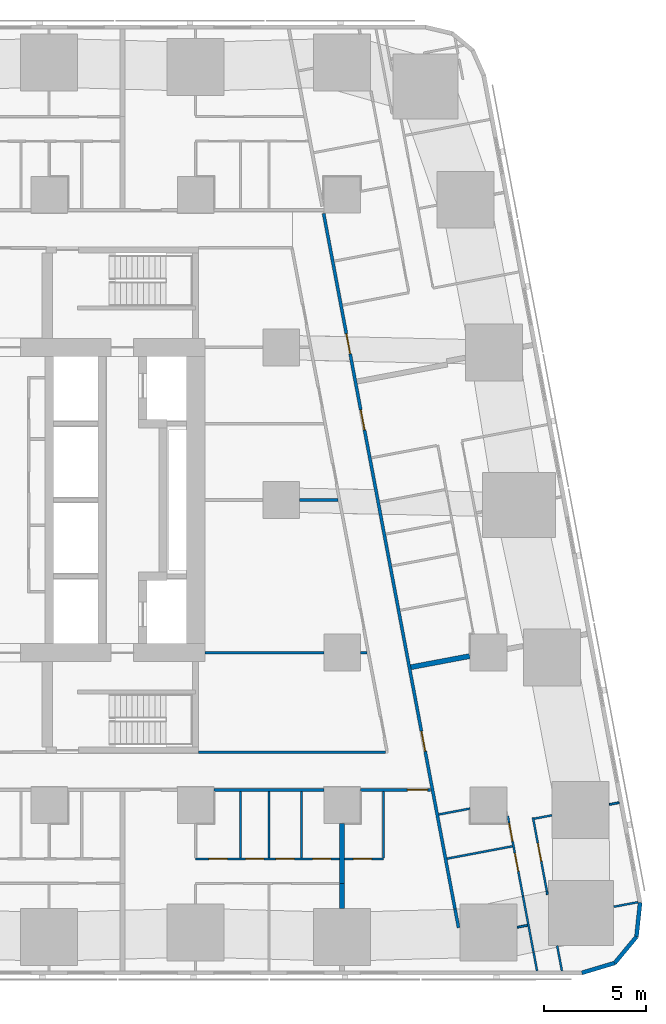
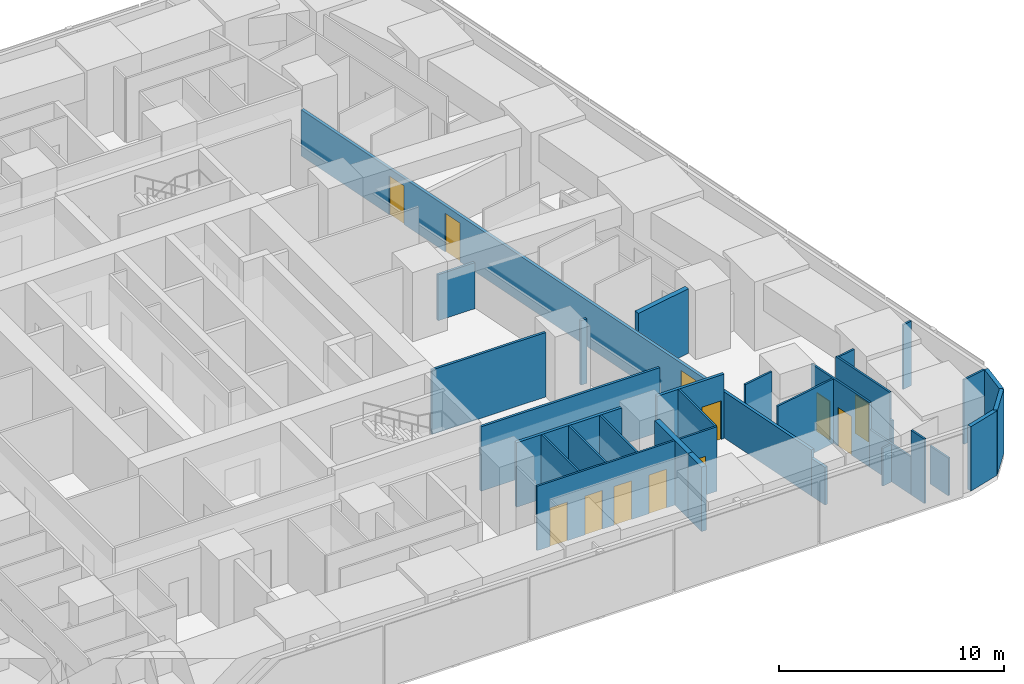
# One storey, part 9 of 18: 32 walls, 12 doors, 12 openings.
"""IFC4 building model written with IfcOpenShell, lengths in metres."""

from ifc_helpers import new_model, si_unit, direction, frame, frame_2d, origin, place, context, subcontext, project, spatial, rectangle, extrude, material, layer, layer_set, type_object, element, fill, save


model = new_model("IFC4")

# Units and contexts
model_context = context("Model", 3, precision=1e-05, world=origin(), true_north=direction((0.0, 1.0)))
body_context = subcontext(model_context, "Body", "Model", "MODEL_VIEW")
ifc_project = project(units=[si_unit("LENGTHUNIT", "METRE"), si_unit("AREAUNIT", "SQUARE_METRE"), si_unit("VOLUMEUNIT", "CUBIC_METRE"), si_unit("PLANEANGLEUNIT", "RADIAN"), si_unit("MASSUNIT", "GRAM", prefix="KILO")], contexts=[model_context])

# Site, building, storey
site_placement = place(None, origin())
site = spatial("IfcSite", under=ifc_project, at=site_placement, CompositionType="ELEMENT")
building_placement = place(site_placement, origin())
building = spatial("IfcBuilding", under=site, at=building_placement, Name="Sheger Commons Tower", CompositionType="ELEMENT")
storey_placement = place(building_placement, frame((0.0, 0.0, 35.0)))
storey = spatial("IfcBuildingStorey", under=building, at=storey_placement, Name="L08", CompositionType="ELEMENT", Elevation=35.0)

# Wall, opening, door
ifc_material_1 = material(Name="Hollow concrete block masonry, skimmed both sides", Category="masonry")
ifc_layer_1 = layer(ifc_material_1, 0.14990234375)
ifc_layer_set_1 = layer_set([ifc_layer_1], Name="CORRIDOR WALL 150")
wall_type_1 = type_object("IfcWallType", Name="CORRIDOR WALL 150", PredefinedType="SOLIDWALL", material=ifc_layer_set_1)
wall_1_placement = place(storey_placement, frame((40.35498046875, 8.25, 0.0), z_axis=(0.0, 0.0, 1.0), x_axis=(-1.0, 0.0, 0.0)))
wall_1 = element("IfcWall", 1, at=wall_1_placement, inside=storey, type_object=wall_type_1, Name="Corridor wall L08", PredefinedType="SOLIDWALL", context=body_context, shape_type="SweptSolid", body=[
    extrude(rectangle(XDim=3.4541015625, YDim=0.14990234375, at=frame_2d((1.72705078125, 0.0))), origin(), (0.0, 0.0, 1.0), 3.5),
])
opening_1_placement = place(wall_1_placement, frame((0.14990234375, 0.0, 0.0)))
opening_1 = element("IfcOpeningElement", 2, at=opening_1_placement, cuts=wall_1, Name="Opening D1", PredefinedType="OPENING", context=body_context, shape_type="SweptSolid", body=[
    extrude(rectangle(XDim=1.0, YDim=2.10009765625, at=frame_2d((0.5, 1.050048828125))), frame((0.0, 0.0849609375, 0.0), z_axis=(0.0, -1.0, 0.0), x_axis=(1.0, 0.0, 0.0)), (0.0, 0.0, 1.0), 0.169921875),
])
ifc_material_2 = material(Name="Steel door set, fire rated", Category="steel")
door_type_1 = type_object("IfcDoorType", Name="FLAT ENTRANCE DOOR 1000x2100", OperationType="NOTDEFINED", PredefinedType="DOOR", material=ifc_material_2)
door_1_placement = place(opening_1_placement, origin())
door_1 = element("IfcDoor", 3, at=door_1_placement, inside=storey, type_object=door_type_1, Name="Flat entrance door", OperationType="SINGLE_SWING_LEFT", OverallHeight=2.10009765625, OverallWidth=1.0, PredefinedType="DOOR", context=body_context, shape_type="SweptSolid", body=[
    extrude(rectangle(XDim=1.0, YDim=2.10009765625, at=frame_2d((0.5, 1.050048828125))), frame((0.0, 0.02490234375, 0.0), z_axis=(0.0, -1.0, 0.0), x_axis=(1.0, 0.0, 0.0)), (0.0, 0.0, 1.0), 0.050048828125),
])
fill(opening_1, door_1)

# Wall
wall_2_placement = place(storey_placement, frame((35.09912109375, 8.25, 0.0), z_axis=(0.0, 0.0, 1.0), x_axis=(-1.0, 0.0, 0.0)))
element("IfcWall", 4, at=wall_2_placement, inside=storey, type_object=wall_type_1, Name="Corridor wall L08", PredefinedType="SOLIDWALL", context=body_context, shape_type="SweptSolid", body=[
    extrude(rectangle(XDim=5.398193359375, YDim=0.14990234375, at=frame_2d((2.69921875, 0.0))), origin(), (0.0, 0.0, 1.0), 3.5),
])

# Wall, openings, doors
wall_3_placement = place(storey_placement, frame((35.093994140625, 36.5849609375, 0.0), z_axis=(0.0, 0.0, 1.0), x_axis=(0.185588860311, -0.982627485331, 0.0)))
wall_3 = element("IfcWall", 5, at=wall_3_placement, inside=storey, type_object=wall_type_1, Name="Corridor wall L08", PredefinedType="SOLIDWALL", context=body_context, shape_type="SweptSolid", body=[
    extrude(rectangle(XDim=34.79736328125, YDim=0.14990234375, at=frame_2d((17.398681640625, 0.0))), origin(), (0.0, 0.0, 1.0), 2.5),
])
opening_2_placement = place(wall_3_placement, frame((6.011962890625, 0.0, 0.0)))
opening_2 = element("IfcOpeningElement", 6, at=opening_2_placement, cuts=wall_3, Name="Opening D1", PredefinedType="OPENING", context=body_context, shape_type="SweptSolid", body=[
    extrude(rectangle(XDim=1.0, YDim=2.10009765625, at=frame_2d((0.5, 1.050048828125))), frame((0.0, 0.0849609375, 0.0), z_axis=(0.0, -1.0, 0.0), x_axis=(1.0, 0.0, 0.0)), (0.0, 0.0, 1.0), 0.169921875),
])
opening_3_placement = place(wall_3_placement, frame((9.827880859375, 0.0, 0.0)))
opening_3 = element("IfcOpeningElement", 7, at=opening_3_placement, cuts=wall_3, Name="Opening D1", PredefinedType="OPENING", context=body_context, shape_type="SweptSolid", body=[
    extrude(rectangle(XDim=1.0, YDim=2.10009765625, at=frame_2d((0.5, 1.050048828125))), frame((0.0, 0.0849609375, 0.0), z_axis=(0.0, -1.0, 0.0), x_axis=(1.0, 0.0, 0.0)), (0.0, 0.0, 1.0), 0.169921875),
])
opening_4_placement = place(wall_3_placement, frame((25.89990234375, 0.0, 0.0)))
opening_4 = element("IfcOpeningElement", 8, at=opening_4_placement, cuts=wall_3, Name="Opening D1", PredefinedType="OPENING", context=body_context, shape_type="SweptSolid", body=[
    extrude(rectangle(XDim=1.0, YDim=2.10009765625, at=frame_2d((0.5, 1.050048828125))), frame((0.0, 0.0849609375, 0.0), z_axis=(0.0, -1.0, 0.0), x_axis=(1.0, 0.0, 0.0)), (0.0, 0.0, 1.0), 0.169921875),
])
door_2_placement = place(opening_2_placement, origin())
door_2 = element("IfcDoor", 9, at=door_2_placement, inside=storey, type_object=door_type_1, Name="Flat entrance door", OperationType="SINGLE_SWING_LEFT", OverallHeight=2.10009765625, OverallWidth=1.0, PredefinedType="DOOR", context=body_context, shape_type="SweptSolid", body=[
    extrude(rectangle(XDim=1.0, YDim=2.10009765625, at=frame_2d((0.5, 1.050048828125))), frame((0.0, 0.02490234375, 0.0), z_axis=(0.0, -1.0, 0.0), x_axis=(1.0, 0.0, 0.0)), (0.0, 0.0, 1.0), 0.050048828125),
])
fill(opening_2, door_2)
door_3_placement = place(opening_3_placement, origin())
door_3 = element("IfcDoor", 10, at=door_3_placement, inside=storey, type_object=door_type_1, Name="Flat entrance door", OperationType="SINGLE_SWING_RIGHT", OverallHeight=2.10009765625, OverallWidth=1.0, PredefinedType="DOOR", context=body_context, shape_type="SweptSolid", body=[
    extrude(rectangle(XDim=1.0, YDim=2.10009765625, at=frame_2d((0.5, 1.050048828125))), frame((0.0, 0.02490234375, 0.0), z_axis=(0.0, -1.0, 0.0), x_axis=(1.0, 0.0, 0.0)), (0.0, 0.0, 1.0), 0.050048828125),
])
fill(opening_3, door_3)
door_4_placement = place(opening_4_placement, origin())
door_4 = element("IfcDoor", 11, at=door_4_placement, inside=storey, type_object=door_type_1, Name="Flat entrance door", OperationType="SINGLE_SWING_RIGHT", OverallHeight=2.10009765625, OverallWidth=1.0, PredefinedType="DOOR", context=body_context, shape_type="SweptSolid", body=[
    extrude(rectangle(XDim=1.0, YDim=2.10009765625, at=frame_2d((0.5, 1.050048828125))), frame((0.0, 0.02490234375, 0.0), z_axis=(0.0, -1.0, 0.0), x_axis=(1.0, 0.0, 0.0)), (0.0, 0.0, 1.0), 0.050048828125),
])
fill(opening_4, door_4)

# Walls
wall_4_placement = place(storey_placement, frame((41.552001953125, 2.39208984375, 0.0), z_axis=(0.0, 0.0, 1.0), x_axis=(0.185687800081, -0.982608793417, 0.0)))
element("IfcWall", 12, at=wall_4_placement, inside=storey, type_object=wall_type_1, Name="Corridor wall L08", PredefinedType="SOLIDWALL", context=body_context, shape_type="SweptSolid", body=[
    extrude(rectangle(XDim=0.9375, YDim=0.14990234375, at=frame_2d((0.46875, 0.0))), origin(), (0.0, 0.0, 1.0), 2.050048828125),
])
ifc_material_3 = material(Name="Dense concrete block masonry, plastered both sides (separating wall between flats)", Category="masonry")
ifc_layer_2 = layer(ifc_material_3, 0.25)
ifc_layer_set_2 = layer_set([ifc_layer_2], Name="DEMISING WALL 250")
wall_type_2 = type_object("IfcWallType", Name="DEMISING WALL 250", PredefinedType="SOLIDWALL", material=ifc_layer_set_2)
wall_5_placement = place(storey_placement, frame((36.0, 2.426025390625, 0.0), z_axis=(0.0, 0.0, 1.0), x_axis=(0.0, 1.0, 0.0)))
element("IfcWall", 13, at=wall_5_placement, inside=storey, type_object=wall_type_2, Name="Demising wall L08", PredefinedType="SOLIDWALL", context=body_context, shape_type="SweptSolid", body=[
    extrude(rectangle(XDim=1.223876953125, YDim=0.25, at=frame_2d((0.61181640625, 0.0))), origin(), (0.0, 0.0, 1.0), 3.5),
])
wall_6_placement = place(storey_placement, frame((36.0, 3.64990234375, 0.0), z_axis=(0.0, 0.0, 1.0), x_axis=(0.0, 1.0, 0.0)))
element("IfcWall", 14, at=wall_6_placement, inside=storey, type_object=wall_type_2, Name="Demising wall L08", PredefinedType="SOLIDWALL", context=body_context, shape_type="SweptSolid", body=[
    extrude(rectangle(XDim=2.94921875, YDim=0.25, at=frame_2d((1.474609375, 0.0))), origin(), (0.0, 0.0, 1.0), 3.5),
])
wall_7_placement = place(storey_placement, frame((42.27587890625, 14.824951171875, 0.0), z_axis=(0.0, 0.0, 1.0), x_axis=(-0.982656521819, -0.185435056358, 0.0)))
element("IfcWall", 15, at=wall_7_placement, inside=storey, type_object=wall_type_2, Name="Demising wall L08", PredefinedType="SOLIDWALL", context=body_context, shape_type="SweptSolid", body=[
    extrude(rectangle(XDim=2.94384765625, YDim=0.25, at=frame_2d((1.471923828125, 0.0))), origin(), (0.0, 0.0, 1.0), 3.5),
])
ifc_material_4 = material(Name="Rendered concrete block masonry, dark grey", Category="masonry")
ifc_layer_3 = layer(ifc_material_4, 0.199951171875)
ifc_layer_set_3 = layer_set([ifc_layer_3], Name="FACADE WALL 200")
wall_type_3 = type_object("IfcWallType", Name="FACADE WALL 200", PredefinedType="SOLIDWALL", material=ifc_layer_set_3)
wall_8_placement = place(storey_placement, frame((47.791015625, -0.75, 0.0), z_axis=(0.0, 0.0, 1.0), x_axis=(0.957455232626, 0.288581838509, 0.0)))
element("IfcWall", 16, at=wall_8_placement, inside=storey, type_object=wall_type_3, Name="Facade wall L08", PredefinedType="SOLIDWALL", context=body_context, shape_type="SweptSolid", body=[
    extrude(rectangle(XDim=1.687744140625, YDim=0.199951171875, at=frame_2d((0.84375, 0.0))), origin(), (0.0, 0.0, 1.0), 3.5),
])
wall_9_placement = place(storey_placement, frame((49.406982421875, -0.262939453125, 0.0), z_axis=(0.0, 0.0, 1.0), x_axis=(0.638042593423, 0.770001070764, 0.0)))
element("IfcWall", 17, at=wall_9_placement, inside=storey, type_object=wall_type_3, Name="Facade wall L08", PredefinedType="SOLIDWALL", context=body_context, shape_type="SweptSolid", body=[
    extrude(rectangle(XDim=1.672607421875, YDim=0.199951171875, at=frame_2d((0.83642578125, 0.0))), origin(), (0.0, 0.0, 1.0), 3.5),
])
wall_10_placement = place(storey_placement, frame((50.47412109375, 1.02490234375, 0.0), z_axis=(0.0, 0.0, 1.0), x_axis=(0.106047815515, 0.994361031429, 0.0)))
element("IfcWall", 18, at=wall_10_placement, inside=storey, type_object=wall_type_3, Name="Facade wall L08", PredefinedType="SOLIDWALL", context=body_context, shape_type="SweptSolid", body=[
    extrude(rectangle(XDim=1.6875, YDim=0.199951171875, at=frame_2d((0.84375, 0.0))), origin(), (0.0, 0.0, 1.0), 3.5),
])

# Wall, openings, doors
ifc_material_5 = material(Name="Gypsum board on steel studs", Category="steel")
ifc_layer_4 = layer(ifc_material_5, 0.10009765625)
ifc_layer_set_4 = layer_set([ifc_layer_4], Name="PARTITION 100")
wall_type_4 = type_object("IfcWallType", Name="PARTITION 100", PredefinedType="PARTITIONING", material=ifc_layer_set_4)
wall_11_placement = place(storey_placement, frame((35.875, 4.85009765625, 0.0), z_axis=(0.0, 0.0, 1.0), x_axis=(-1.0, 0.0, 0.0)))
wall_11 = element("IfcWall", 19, at=wall_11_placement, inside=storey, type_object=wall_type_4, Name="Partition L08", PredefinedType="PARTITIONING", context=body_context, shape_type="SweptSolid", body=[
    extrude(rectangle(XDim=7.074951171875, YDim=0.10009765625, at=frame_2d((3.53759765625, 0.0))), origin(), (0.0, 0.0, 1.0), 3.5),
])
opening_5_placement = place(wall_11_placement, frame((5.52001953125, 0.0, 0.0)))
opening_5 = element("IfcOpeningElement", 20, at=opening_5_placement, cuts=wall_11, Name="Opening D2", PredefinedType="OPENING", context=body_context, shape_type="SweptSolid", body=[
    extrude(rectangle(XDim=0.89990234375, YDim=2.10009765625, at=frame_2d((0.449951171875, 1.050048828125))), frame((0.0, 0.06005859375, 0.0), z_axis=(0.0, -1.0, 0.0), x_axis=(1.0, 0.0, 0.0)), (0.0, 0.0, 1.0), 0.1201171875),
])
opening_6_placement = place(wall_11_placement, frame((2.22509765625, 0.0, 0.0)))
opening_6 = element("IfcOpeningElement", 21, at=opening_6_placement, cuts=wall_11, Name="Opening D2", PredefinedType="OPENING", context=body_context, shape_type="SweptSolid", body=[
    extrude(rectangle(XDim=0.89990234375, YDim=2.10009765625, at=frame_2d((0.449951171875, 1.050048828125))), frame((0.0, 0.06005859375, 0.0), z_axis=(0.0, -1.0, 0.0), x_axis=(1.0, 0.0, 0.0)), (0.0, 0.0, 1.0), 0.1201171875),
])
opening_7_placement = place(wall_11_placement, frame((3.719970703125, 0.0, 0.0)))
opening_7 = element("IfcOpeningElement", 22, at=opening_7_placement, cuts=wall_11, Name="Opening D2", PredefinedType="OPENING", context=body_context, shape_type="SweptSolid", body=[
    extrude(rectangle(XDim=0.89990234375, YDim=2.10009765625, at=frame_2d((0.449951171875, 1.050048828125))), frame((0.0, 0.06005859375, 0.0), z_axis=(0.0, -1.0, 0.0), x_axis=(1.0, 0.0, 0.0)), (0.0, 0.0, 1.0), 0.1201171875),
])
opening_8_placement = place(wall_11_placement, frame((0.425048828125, 0.0, 0.0)))
opening_8 = element("IfcOpeningElement", 23, at=opening_8_placement, cuts=wall_11, Name="Opening D2", PredefinedType="OPENING", context=body_context, shape_type="SweptSolid", body=[
    extrude(rectangle(XDim=0.89990234375, YDim=2.10009765625, at=frame_2d((0.449951171875, 1.050048828125))), frame((0.0, 0.06005859375, 0.0), z_axis=(0.0, -1.0, 0.0), x_axis=(1.0, 0.0, 0.0)), (0.0, 0.0, 1.0), 0.1201171875),
])
ifc_material_6 = material(Name="Timber door set", Category="wood")
door_type_2 = type_object("IfcDoorType", Name="INTERNAL DOOR 900x2100", OperationType="NOTDEFINED", PredefinedType="DOOR", material=ifc_material_6)
door_5_placement = place(opening_5_placement, origin())
door_5 = element("IfcDoor", 24, at=door_5_placement, inside=storey, type_object=door_type_2, Name="Bathroom door", OperationType="SINGLE_SWING_LEFT", OverallHeight=2.10009765625, OverallWidth=0.89990234375, PredefinedType="DOOR", context=body_context, shape_type="SweptSolid", body=[
    extrude(rectangle(XDim=0.89990234375, YDim=2.10009765625, at=frame_2d((0.449951171875, 1.050048828125))), frame((0.0, 0.02490234375, 0.0), z_axis=(0.0, -1.0, 0.0), x_axis=(1.0, 0.0, 0.0)), (0.0, 0.0, 1.0), 0.050048828125),
])
fill(opening_5, door_5)
door_6_placement = place(opening_6_placement, origin())
door_6 = element("IfcDoor", 25, at=door_6_placement, inside=storey, type_object=door_type_2, Name="Shower room door", OperationType="SINGLE_SWING_LEFT", OverallHeight=2.10009765625, OverallWidth=0.89990234375, PredefinedType="DOOR", context=body_context, shape_type="SweptSolid", body=[
    extrude(rectangle(XDim=0.89990234375, YDim=2.10009765625, at=frame_2d((0.449951171875, 1.050048828125))), frame((0.0, 0.02490234375, 0.0), z_axis=(0.0, -1.0, 0.0), x_axis=(1.0, 0.0, 0.0)), (0.0, 0.0, 1.0), 0.050048828125),
])
fill(opening_6, door_6)
door_7_placement = place(opening_7_placement, origin())
door_7 = element("IfcDoor", 26, at=door_7_placement, inside=storey, type_object=door_type_2, Name="Store door", OperationType="SINGLE_SWING_LEFT", OverallHeight=2.10009765625, OverallWidth=0.89990234375, PredefinedType="DOOR", context=body_context, shape_type="SweptSolid", body=[
    extrude(rectangle(XDim=0.89990234375, YDim=2.10009765625, at=frame_2d((0.449951171875, 1.050048828125))), frame((0.0, 0.02490234375, 0.0), z_axis=(0.0, -1.0, 0.0), x_axis=(1.0, 0.0, 0.0)), (0.0, 0.0, 1.0), 0.050048828125),
])
fill(opening_7, door_7)
door_8_placement = place(opening_8_placement, origin())
door_8 = element("IfcDoor", 27, at=door_8_placement, inside=storey, type_object=door_type_2, Name="Store door", OperationType="SINGLE_SWING_RIGHT", OverallHeight=2.10009765625, OverallWidth=0.89990234375, PredefinedType="DOOR", context=body_context, shape_type="SweptSolid", body=[
    extrude(rectangle(XDim=0.89990234375, YDim=2.10009765625, at=frame_2d((0.449951171875, 1.050048828125))), frame((0.0, 0.02490234375, 0.0), z_axis=(0.0, -1.0, 0.0), x_axis=(1.0, 0.0, 0.0)), (0.0, 0.0, 1.0), 0.050048828125),
])
fill(opening_8, door_8)

# Walls
for number, where, z_axis, x_axis, name in (
    (28, (32.39990234375, 4.89990234375, 0.0), (0.0, 0.0, 1.0), (0.0, 1.0, 0.0), "Partition L08"),
    (29, (31.010009765625, 4.89990234375, 0.0), (0.0, 0.0, 1.0), (0.0, 1.0, 0.0), "Partition L08"),
    (30, (34.0, 4.89990234375, 0.0), (0.0, 0.0, 1.0), (0.0, 1.0, 0.0), "Partition L08"),
):
    element("IfcWall", number, at=place(storey_placement, frame(where, z_axis=z_axis, x_axis=x_axis)), inside=storey, type_object=wall_type_4, Name=name, PredefinedType="PARTITIONING", context=body_context, shape_type="SweptSolid", body=[
        extrude(rectangle(XDim=3.275146484375, YDim=0.10009765625, at=frame_2d((1.6376953125, 0.0))), origin(), (0.0, 0.0, 1.0), 3.5),
    ])

# Wall, opening, door
wall_12_placement = place(storey_placement, frame((38.029052734375, 4.85009765625, 0.0), z_axis=(0.0, 0.0, 1.0), x_axis=(-1.0, 0.0, 0.0)))
wall_12 = element("IfcWall", 31, at=wall_12_placement, inside=storey, type_object=wall_type_4, Name="Partition L08", PredefinedType="PARTITIONING", context=body_context, shape_type="SweptSolid", body=[
    extrude(rectangle(XDim=1.904052734375, YDim=0.10009765625, at=frame_2d((0.9521484375, 0.0))), origin(), (0.0, 0.0, 1.0), 3.5),
])
opening_9_placement = place(wall_12_placement, frame((0.5791015625, 0.0, 0.0)))
opening_9 = element("IfcOpeningElement", 32, at=opening_9_placement, cuts=wall_12, Name="Opening D2", PredefinedType="OPENING", context=body_context, shape_type="SweptSolid", body=[
    extrude(rectangle(XDim=0.89990234375, YDim=2.10009765625, at=frame_2d((0.449951171875, 1.050048828125))), frame((0.0, 0.06005859375, 0.0), z_axis=(0.0, -1.0, 0.0), x_axis=(1.0, 0.0, 0.0)), (0.0, 0.0, 1.0), 0.1201171875),
])
door_9_placement = place(opening_9_placement, origin())
door_9 = element("IfcDoor", 33, at=door_9_placement, inside=storey, type_object=door_type_2, Name="Shower room door", OperationType="SINGLE_SWING_LEFT", OverallHeight=2.10009765625, OverallWidth=0.89990234375, PredefinedType="DOOR", context=body_context, shape_type="SweptSolid", body=[
    extrude(rectangle(XDim=0.89990234375, YDim=2.10009765625, at=frame_2d((0.449951171875, 1.050048828125))), frame((0.0, 0.02490234375, 0.0), z_axis=(0.0, -1.0, 0.0), x_axis=(1.0, 0.0, 0.0)), (0.0, 0.0, 1.0), 0.050048828125),
])
fill(opening_9, door_9)

# Wall
wall_13_placement = place(storey_placement, frame((38.029052734375, 4.89990234375, 0.0), z_axis=(0.0, 0.0, 1.0), x_axis=(0.0, 1.0, 0.0)))
element("IfcWall", 34, at=wall_13_placement, inside=storey, type_object=wall_type_4, Name="Partition L08", PredefinedType="PARTITIONING", context=body_context, shape_type="SweptSolid", body=[
    extrude(rectangle(XDim=3.275146484375, YDim=0.10009765625, at=frame_2d((1.6376953125, 0.0))), origin(), (0.0, 0.0, 1.0), 3.5),
])

# Wall, opening, door
wall_14_placement = place(storey_placement, frame((45.383056640625, 6.89404296875, 0.0), z_axis=(0.0, 0.0, 1.0), x_axis=(0.185791461635, -0.982589198385, 0.0)))
wall_14 = element("IfcWall", 35, at=wall_14_placement, inside=storey, type_object=wall_type_4, Name="Partition L08", PredefinedType="PARTITIONING", context=body_context, shape_type="SweptSolid", body=[
    extrude(rectangle(XDim=3.687255859375, YDim=0.10009765625, at=frame_2d((1.84375, 0.0))), origin(), (0.0, 0.0, 1.0), 3.5),
])
opening_10_placement = place(wall_14_placement, frame((1.300048828125, 0.0, 0.0)))
opening_10 = element("IfcOpeningElement", 36, at=opening_10_placement, cuts=wall_14, Name="Opening D2", PredefinedType="OPENING", context=body_context, shape_type="SweptSolid", body=[
    extrude(rectangle(XDim=0.89990234375, YDim=2.10009765625, at=frame_2d((0.449951171875, 1.050048828125))), frame((0.0, 0.06005859375, 0.0), z_axis=(0.0, -1.0, 0.0), x_axis=(1.0, 0.0, 0.0)), (0.0, 0.0, 1.0), 0.1201171875),
])
door_10_placement = place(opening_10_placement, origin())
door_10 = element("IfcDoor", 37, at=door_10_placement, inside=storey, type_object=door_type_2, Name="Main bedroom door", OperationType="SINGLE_SWING_LEFT", OverallHeight=2.10009765625, OverallWidth=0.89990234375, PredefinedType="DOOR", context=body_context, shape_type="SweptSolid", body=[
    extrude(rectangle(XDim=0.89990234375, YDim=2.10009765625, at=frame_2d((0.449951171875, 1.050048828125))), frame((0.0, 0.02490234375, 0.0), z_axis=(0.0, -1.0, 0.0), x_axis=(1.0, 0.0, 0.0)), (0.0, 0.0, 1.0), 0.050048828125),
])
fill(opening_10, door_10)

# Walls
wall_15_placement = place(storey_placement, frame((46.068115234375, 3.27099609375, 0.0), z_axis=(0.0, 0.0, 1.0), x_axis=(0.183590240121, -0.98300286049, 0.0)))
element("IfcWall", 38, at=wall_15_placement, inside=storey, type_object=wall_type_4, Name="Partition L08", PredefinedType="PARTITIONING", context=body_context, shape_type="SweptSolid", body=[
    extrude(rectangle(XDim=0.1689453125, YDim=0.10009765625, at=frame_2d((0.08447265625, 0.0))), origin(), (0.0, 0.0, 1.0), 2.050048828125),
])
wall_16_placement = place(storey_placement, frame((46.573974609375, 0.5869140625, 0.0), z_axis=(0.0, 0.0, 1.0), x_axis=(0.185997942803, -0.98255013372, 0.0)))
element("IfcWall", 39, at=wall_16_placement, inside=storey, type_object=wall_type_4, Name="Partition L08", PredefinedType="PARTITIONING", context=body_context, shape_type="SweptSolid", body=[
    extrude(rectangle(XDim=1.2587890625, YDim=0.10009765625, at=frame_2d((0.62939453125, 0.0))), origin(), (0.0, 0.0, 1.0), 2.050048828125),
])

# Wall, openings, doors
wall_17_placement = place(storey_placement, frame((44.14892578125, 6.9599609375, 0.0), z_axis=(0.0, 0.0, 1.0), x_axis=(0.185824941804, -0.982582867245, 0.0)))
wall_17 = element("IfcWall", 40, at=wall_17_placement, inside=storey, type_object=wall_type_4, Name="Partition L08", PredefinedType="PARTITIONING", context=body_context, shape_type="SweptSolid", body=[
    extrude(rectangle(XDim=4.009765625, YDim=0.10009765625, at=frame_2d((2.0048828125, 0.0))), origin(), (0.0, 0.0, 1.0), 3.5),
])
opening_11_placement = place(wall_17_placement, frame((0.35009765625, 0.0, 0.0)))
opening_11 = element("IfcOpeningElement", 41, at=opening_11_placement, cuts=wall_17, Name="Opening D2", PredefinedType="OPENING", context=body_context, shape_type="SweptSolid", body=[
    extrude(rectangle(XDim=0.89990234375, YDim=2.10009765625, at=frame_2d((0.449951171875, 1.050048828125))), frame((0.0, 0.06005859375, 0.0), z_axis=(0.0, -1.0, 0.0), x_axis=(1.0, 0.0, 0.0)), (0.0, 0.0, 1.0), 0.1201171875),
])
opening_12_placement = place(wall_17_placement, frame((1.85595703125, 0.0, 0.0)))
opening_12 = element("IfcOpeningElement", 42, at=opening_12_placement, cuts=wall_17, Name="Opening D2", PredefinedType="OPENING", context=body_context, shape_type="SweptSolid", body=[
    extrude(rectangle(XDim=0.89990234375, YDim=2.10009765625, at=frame_2d((0.449951171875, 1.050048828125))), frame((0.0, 0.06005859375, 0.0), z_axis=(0.0, -1.0, 0.0), x_axis=(1.0, 0.0, 0.0)), (0.0, 0.0, 1.0), 0.1201171875),
])
door_11_placement = place(opening_11_placement, origin())
door_11 = element("IfcDoor", 43, at=door_11_placement, inside=storey, type_object=door_type_2, Name="Bathroom door", OperationType="SINGLE_SWING_RIGHT", OverallHeight=2.10009765625, OverallWidth=0.89990234375, PredefinedType="DOOR", context=body_context, shape_type="SweptSolid", body=[
    extrude(rectangle(XDim=0.89990234375, YDim=2.10009765625, at=frame_2d((0.449951171875, 1.050048828125))), frame((0.0, 0.02490234375, 0.0), z_axis=(0.0, -1.0, 0.0), x_axis=(1.0, 0.0, 0.0)), (0.0, 0.0, 1.0), 0.050048828125),
])
fill(opening_11, door_11)
door_12_placement = place(opening_12_placement, origin())
door_12 = element("IfcDoor", 44, at=door_12_placement, inside=storey, type_object=door_type_2, Name="Store door", OperationType="SINGLE_SWING_RIGHT", OverallHeight=2.10009765625, OverallWidth=0.89990234375, PredefinedType="DOOR", context=body_context, shape_type="SweptSolid", body=[
    extrude(rectangle(XDim=0.89990234375, YDim=2.10009765625, at=frame_2d((0.449951171875, 1.050048828125))), frame((0.0, 0.02490234375, 0.0), z_axis=(0.0, -1.0, 0.0), x_axis=(1.0, 0.0, 0.0)), (0.0, 0.0, 1.0), 0.050048828125),
])
fill(opening_12, door_12)

# Walls
wall_18_placement = place(storey_placement, frame((44.89404296875, 3.02001953125, 0.0), z_axis=(0.0, 0.0, 1.0), x_axis=(0.185471317237, -0.982649678412, 0.0)))
element("IfcWall", 45, at=wall_18_placement, inside=storey, type_object=wall_type_4, Name="Partition L08", PredefinedType="PARTITIONING", context=body_context, shape_type="SweptSolid", body=[
    extrude(rectangle(XDim=2.8037109375, YDim=0.10009765625, at=frame_2d((1.40185546875, 0.0))), origin(), (0.0, 0.0, 1.0), 2.050048828125),
])
wall_19_placement = place(storey_placement, frame((45.4140625, 0.264892578125, 0.0), z_axis=(0.0, 0.0, 1.0), x_axis=(0.185665855771, -0.982612940074, 0.0)))
element("IfcWall", 46, at=wall_19_placement, inside=storey, type_object=wall_type_4, Name="Partition L08", PredefinedType="PARTITIONING", context=body_context, shape_type="SweptSolid", body=[
    extrude(rectangle(XDim=0.930908203125, YDim=0.10009765625, at=frame_2d((0.46533203125, 0.0))), origin(), (0.0, 0.0, 1.0), 3.5),
])
wall_20_placement = place(storey_placement, frame((49.6220703125, 7.6201171875, 0.0), z_axis=(0.0, 0.0, 1.0), x_axis=(-0.982629142467, -0.185580086147, 0.0)))
element("IfcWall", 47, at=wall_20_placement, inside=storey, type_object=wall_type_4, Name="Partition L08", PredefinedType="PARTITIONING", context=body_context, shape_type="SweptSolid", body=[
    extrude(rectangle(XDim=0.49072265625, YDim=0.10009765625, at=frame_2d((0.245361328125, 0.0))), origin(), (0.0, 0.0, 1.0), 3.5),
])
wall_21_placement = place(storey_placement, frame((46.320068359375, 6.9970703125, 0.0), z_axis=(0.0, 0.0, 1.0), x_axis=(-0.982635224332, -0.185547880349, 0.0)))
element("IfcWall", 48, at=wall_21_placement, inside=storey, type_object=wall_type_4, Name="Partition L08", PredefinedType="PARTITIONING", context=body_context, shape_type="SweptSolid", body=[
    extrude(rectangle(XDim=0.889404296875, YDim=0.10009765625, at=frame_2d((0.44482421875, 0.0))), origin(), (0.0, 0.0, 1.0), 3.5),
])
wall_22_placement = place(storey_placement, frame((50.547119140625, 2.72607421875, 0.0), z_axis=(0.0, 0.0, 1.0), x_axis=(-0.982553313503, -0.185981144539, 0.0)))
element("IfcWall", 49, at=wall_22_placement, inside=storey, type_object=wall_type_4, Name="Partition L08", PredefinedType="PARTITIONING", context=body_context, shape_type="SweptSolid", body=[
    extrude(rectangle(XDim=1.210205078125, YDim=0.10009765625, at=frame_2d((0.60498046875, 0.0))), origin(), (0.0, 0.0, 1.0), 3.5),
])
wall_23_placement = place(storey_placement, frame((42.2900390625, 7.3291015625, 0.0), z_axis=(0.0, 0.0, 1.0), x_axis=(-0.98258870752, -0.18579405764, 0.0)))
element("IfcWall", 50, at=wall_23_placement, inside=storey, type_object=wall_type_4, Name="Partition L08", PredefinedType="PARTITIONING", context=body_context, shape_type="SweptSolid", body=[
    extrude(rectangle(XDim=1.56640625, YDim=0.10009765625, at=frame_2d((0.783203125, 0.0))), origin(), (0.0, 0.0, 1.0), 3.5),
])
wall_24_placement = place(storey_placement, frame((45.114013671875, 1.5869140625, 0.0), z_axis=(0.0, 0.0, 1.0), x_axis=(-0.982699277433, -0.185208342501, 0.0)))
element("IfcWall", 51, at=wall_24_placement, inside=storey, type_object=wall_type_4, Name="Partition L08", PredefinedType="PARTITIONING", context=body_context, shape_type="SweptSolid", body=[
    extrude(rectangle(XDim=0.5126953125, YDim=0.10009765625, at=frame_2d((0.25634765625, 0.0))), origin(), (0.0, 0.0, 1.0), 2.050048828125),
])
wall_25_placement = place(storey_placement, frame((44.37890625, 5.47412109375, 0.0), z_axis=(0.0, 0.0, 1.0), x_axis=(-0.982607026909, -0.185697147715, 0.0)))
element("IfcWall", 52, at=wall_25_placement, inside=storey, type_object=wall_type_4, Name="Partition L08", PredefinedType="PARTITIONING", context=body_context, shape_type="SweptSolid", body=[
    extrude(rectangle(XDim=3.27490234375, YDim=0.10009765625, at=frame_2d((1.637451171875, 0.0))), origin(), (0.0, 0.0, 1.0), 3.5),
])
ifc_material_7 = material(Name="Gypsum board on steel studs, two layers each side, fire rated", Category="steel")
ifc_layer_5 = layer(ifc_material_7, 0.125)
ifc_layer_set_5 = layer_set([ifc_layer_5], Name="SERVICE WALL 125")
wall_type_5 = type_object("IfcWallType", Name="SERVICE WALL 125", PredefinedType="PARTITIONING", material=ifc_layer_set_5)
wall_26_placement = place(storey_placement, frame((28.949951171875, 10.10009765625, 0.0), z_axis=(0.0, 0.0, 1.0), x_axis=(1.0, 0.0, 0.0)))
element("IfcWall", 53, at=wall_26_placement, inside=storey, type_object=wall_type_5, Name="Service room wall L08", PredefinedType="PARTITIONING", context=body_context, shape_type="SweptSolid", body=[
    extrude(rectangle(XDim=9.18798828125, YDim=0.125, at=frame_2d((4.593994140625, 0.0))), origin(), (0.0, 0.0, 1.0), 3.5),
])
wall_27_placement = place(storey_placement, frame((29.25, 15.0, 0.0), z_axis=(0.0, 0.0, 1.0), x_axis=(1.0, 0.0, 0.0)))
element("IfcWall", 54, at=wall_27_placement, inside=storey, type_object=wall_type_5, Name="Service room wall L08", PredefinedType="PARTITIONING", context=body_context, shape_type="SweptSolid", body=[
    extrude(rectangle(XDim=5.84912109375, YDim=0.125, at=frame_2d((2.924560546875, 0.0))), origin(), (0.0, 0.0, 1.0), 3.5),
])
wall_28_placement = place(storey_placement, frame((36.90087890625, 15.0, 0.0), z_axis=(0.0, 0.0, 1.0), x_axis=(1.0, 0.0, 0.0)))
element("IfcWall", 55, at=wall_28_placement, inside=storey, type_object=wall_type_5, Name="Service room wall L08", PredefinedType="PARTITIONING", context=body_context, shape_type="SweptSolid", body=[
    extrude(rectangle(XDim=0.31201171875, YDim=0.125, at=frame_2d((0.156005859375, 0.0))), origin(), (0.0, 0.0, 1.0), 3.5),
])
wall_29_placement = place(storey_placement, frame((33.90087890625, 22.5, 0.0), z_axis=(0.0, 0.0, 1.0), x_axis=(1.0, 0.0, 0.0)))
element("IfcWall", 56, at=wall_29_placement, inside=storey, type_object=wall_type_5, Name="Service room wall L08", PredefinedType="PARTITIONING", context=body_context, shape_type="SweptSolid", body=[
    extrude(rectangle(XDim=1.89501953125, YDim=0.125, at=frame_2d((0.947509765625, 0.0))), origin(), (0.0, 0.0, 1.0), 2.5),
])

save(model, "model.ifc")
